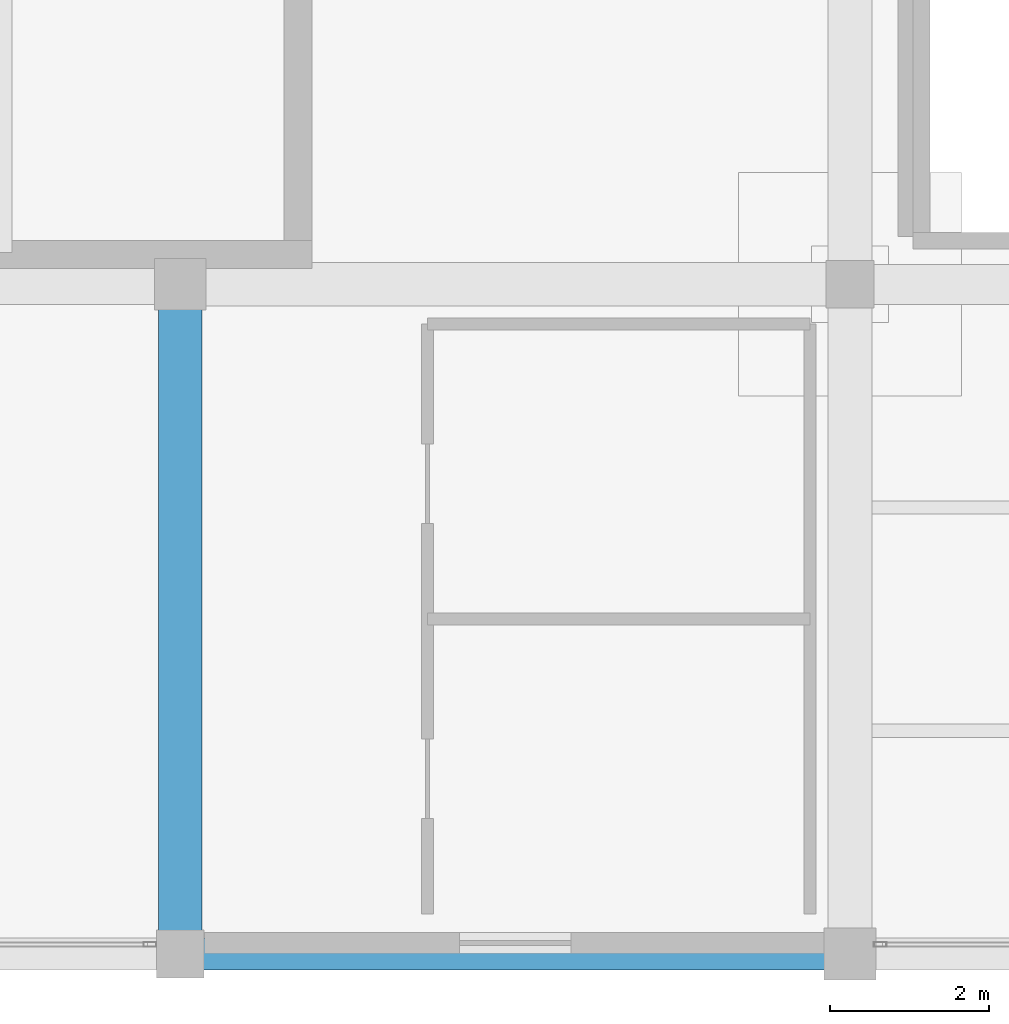
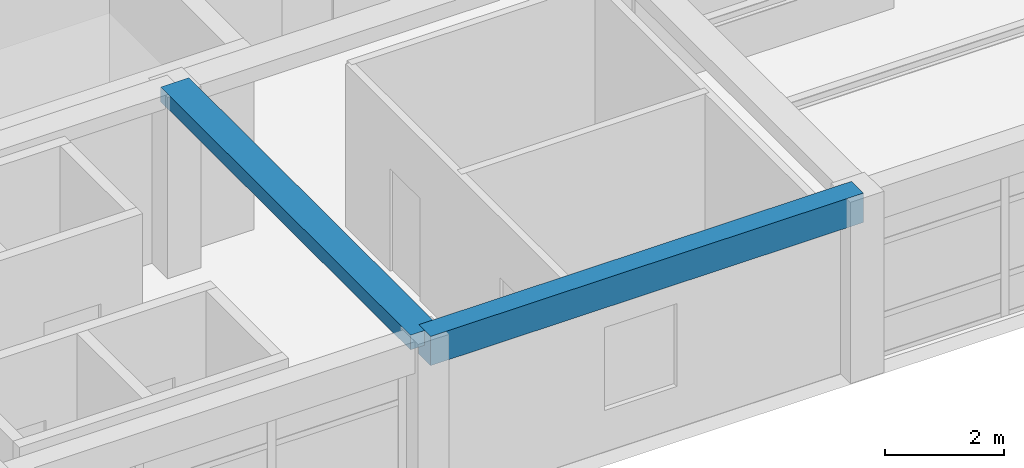
# One storey, part 3 of 25: 2 beams.
"""IFC4 building model written with IfcOpenShell, lengths in metres."""

from ifc_helpers import new_model, si_unit, direction, frame, origin, origin_2d, place, context, subcontext, project, spatial, rectangle, extrude, material, material_profile, profile_set, type_object, element, save


model = new_model("IFC4")

# Units and contexts
model_context = context("Model", 3, precision=1e-05, world=origin(), true_north=direction((0.0, 1.0)))
body_context = subcontext(model_context, "Body", "Model", "MODEL_VIEW")
ifc_project = project(units=[si_unit("LENGTHUNIT", "METRE"), si_unit("AREAUNIT", "SQUARE_METRE"), si_unit("VOLUMEUNIT", "CUBIC_METRE"), si_unit("PLANEANGLEUNIT", "RADIAN"), si_unit("MASSUNIT", "GRAM", prefix="KILO")], contexts=[model_context])

# Site, building, storey
site_placement = place(None, origin())
site = spatial("IfcSite", under=ifc_project, at=site_placement, CompositionType="ELEMENT")
building_placement = place(site_placement, origin())
building = spatial("IfcBuilding", under=site, at=building_placement, Name="Almacenes y Pasaje Nevantli", CompositionType="ELEMENT")
storey_placement = place(building_placement, frame((0.0, 0.0, 50.699951171875)))
storey = spatial("IfcBuildingStorey", under=building, at=storey_placement, Name="L12", CompositionType="ELEMENT", Elevation=50.699951171875)

# Beams
ifc_material_1 = material(Name="Concrete C35/45", Category="concrete")
ifc_material_profile_1 = material_profile(ifc_material_1, rectangle(XDim=0.39990234375, YDim=0.60009765625, at=origin_2d()), Name="RC-BM-400x600")
ifc_profile_set_1 = profile_set([ifc_material_profile_1], Name="Concrete C35/45")
beam_type_1 = type_object("IfcBeamType", Name="BM-RC-400x600", PredefinedType="SPANDREL", material=ifc_profile_set_1)
beam_1_placement = place(storey_placement, frame((126.0, 67.199951171875, 3.420166015625), z_axis=(1.0, 0.0, 0.0), x_axis=(0.0, 1.0, 0.0)))
element("IfcBeam", 1, at=beam_1_placement, inside=storey, type_object=beam_type_1, Name="L12 East-West Reinforced Concrete Beam #3892", PredefinedType="SPANDREL", context=body_context, shape_type="SweptSolid", body=[
    extrude(rectangle(XDim=0.39990234375, YDim=0.60009765625, at=origin_2d()), origin(), (0.0, 0.0, 1.0), 8.39990234375),
])
ifc_material_2 = material(Name="Concrete C35/45", Category="concrete")
ifc_material_profile_2 = material_profile(ifc_material_2, rectangle(XDim=0.550048828125, YDim=0.300048828125, at=origin_2d()), Name="RC-BM-550x300")
ifc_profile_set_2 = profile_set([ifc_material_profile_2], Name="Concrete C35/45")
beam_type_2 = type_object("IfcBeamType", Name="BM-RC-550x300", PredefinedType="BEAM", material=ifc_profile_set_2)
beam_2_placement = place(storey_placement, frame((126.0, 67.199951171875, 3.570068359375), z_axis=(0.0, 1.0, 0.0), x_axis=(-1.0, 0.0, 0.0)))
element("IfcBeam", 2, at=beam_2_placement, inside=storey, type_object=beam_type_2, Name="L12 North-South Reinforced Concrete Beam #3920", PredefinedType="BEAM", context=body_context, shape_type="SweptSolid", body=[
    extrude(rectangle(XDim=0.550048828125, YDim=0.300048828125, at=origin_2d()), origin(), (0.0, 0.0, 1.0), 8.400146484375),
])

save(model, "model.ifc")
